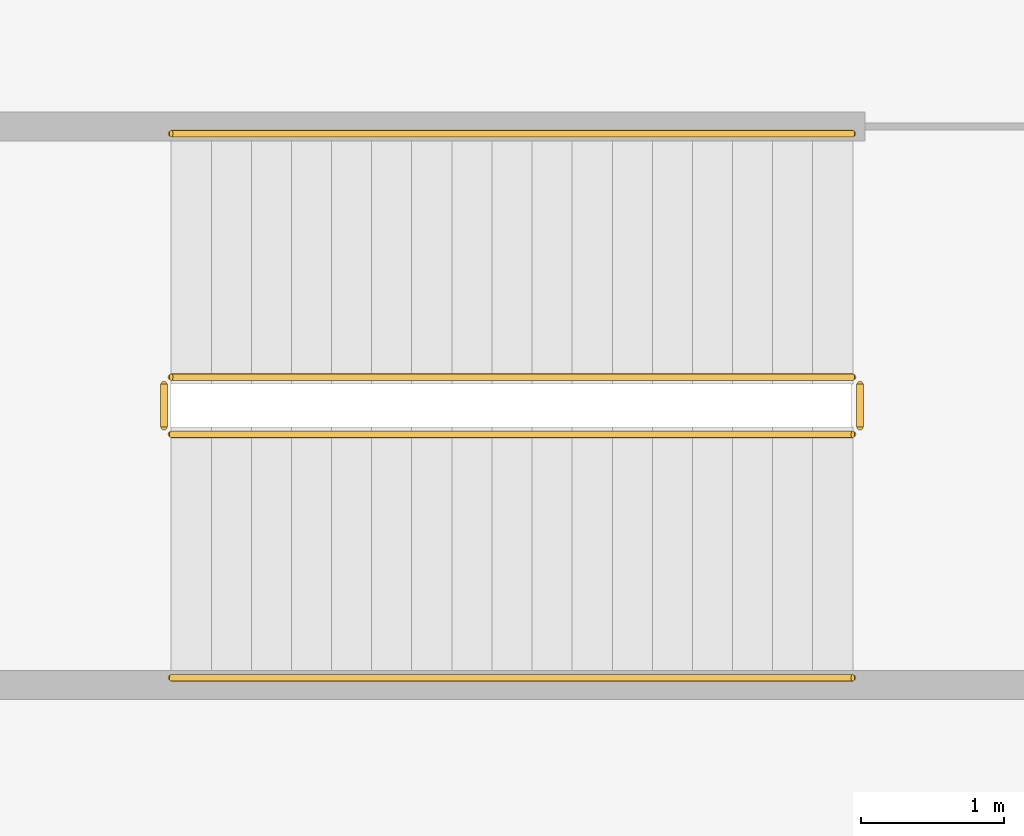
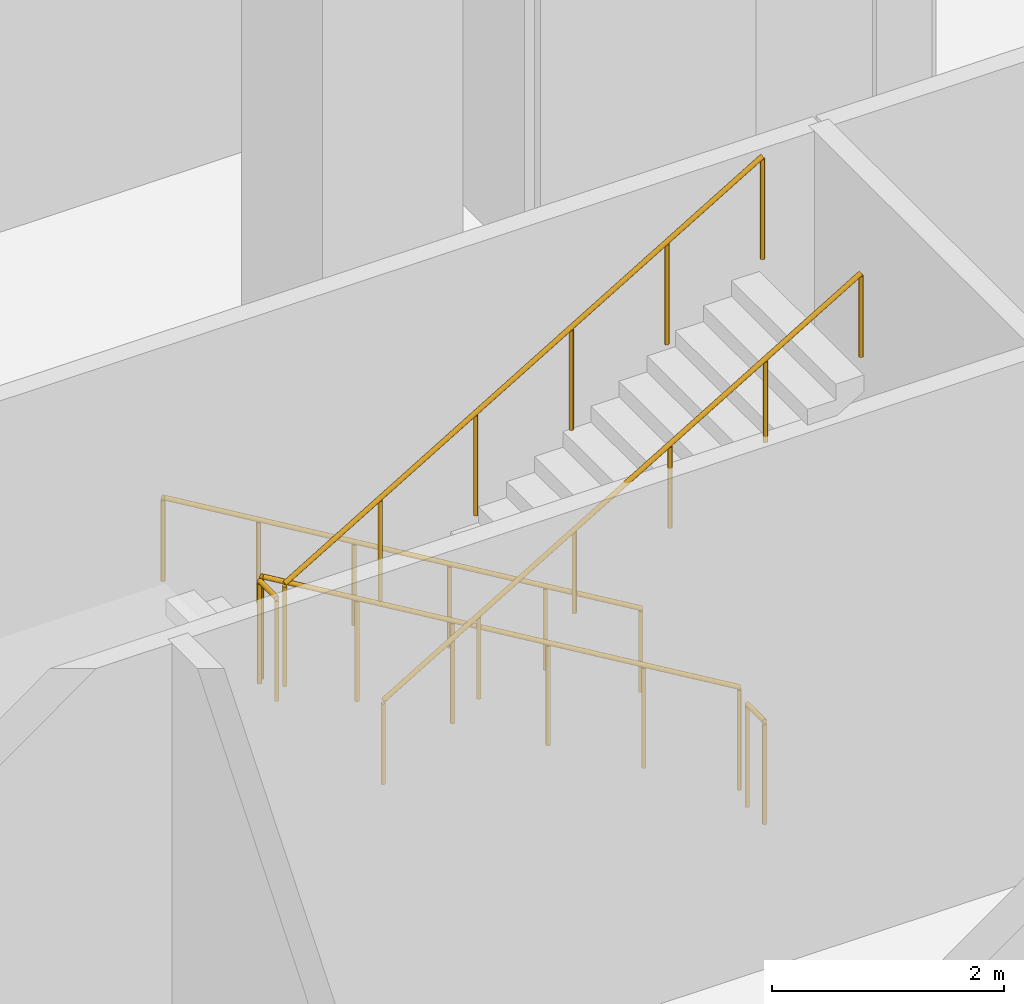
# One storey, part 44 of 52: 6 railings.
"""IFC4 building model written with IfcOpenShell, lengths in metres."""

from ifc_helpers import new_model, si_unit, direction, frame, origin, origin_2d, place, context, subcontext, project, spatial, circle, extrude, material, type_object, element, save


model = new_model("IFC4")

# Units and contexts
model_context = context("Model", 3, precision=1e-05, world=origin(), true_north=direction((0.0, 1.0)))
body_context = subcontext(model_context, "Body", "Model", "MODEL_VIEW")
ifc_project = project(units=[si_unit("LENGTHUNIT", "METRE"), si_unit("AREAUNIT", "SQUARE_METRE"), si_unit("VOLUMEUNIT", "CUBIC_METRE"), si_unit("PLANEANGLEUNIT", "RADIAN"), si_unit("MASSUNIT", "GRAM", prefix="KILO")], contexts=[model_context])

# Site, building, storey
site_placement = place(None, origin())
site = spatial("IfcSite", under=ifc_project, at=site_placement, CompositionType="ELEMENT")
building_placement = place(site_placement, origin())
building = spatial("IfcBuilding", under=site, at=building_placement, Name="Tamarind Cross Interchange Tower", CompositionType="ELEMENT")
storey_placement = place(building_placement, frame((0.0, 0.0, 9.0)))
storey = spatial("IfcBuildingStorey", under=building, at=storey_placement, Name="L01", CompositionType="ELEMENT", Elevation=9.0)

# Railings
ifc_material_1 = material(Name="Public stair guard")
railing_type_1 = type_object("IfcRailingType", Name="Public stair guard", PredefinedType="GUARDRAIL", material=ifc_material_1)
railing_1_placement = place(storey_placement, frame((53.699951171875, -33.25, 0.166748046875)))
element("IfcRailing", 1, at=railing_1_placement, inside=storey, type_object=railing_type_1, Name="L01 XS-P10 stair guard 1", PredefinedType="GUARDRAIL", context=body_context, shape_type="SweptSolid", body=[
    extrude(circle(Radius=0.02392578125, at=origin_2d()), frame((0.0, 0.0, 1.076171875), z_axis=(-0.859299802514, 0.0, 0.511472237174), x_axis=(0.0, -1.0, 0.0)), (0.0, 0.0, 1.0), 5.539306640625),
    extrude(circle(Radius=0.02099609375, at=origin_2d()), origin(), (0.0, 0.0, 1.0), 1.052001953125),
    extrude(circle(Radius=0.02099609375, at=origin_2d()), frame((-0.951904296875, 0.0, 0.566650390625)), (0.0, 0.0, 1.0), 1.052001953125),
    extrude(circle(Radius=0.02099609375, at=origin_2d()), frame((-1.904052734375, 0.0, 1.13330078125)), (0.0, 0.0, 1.0), 1.052001953125),
    extrude(circle(Radius=0.02099609375, at=origin_2d()), frame((-2.85595703125, 0.0, 1.699951171875)), (0.0, 0.0, 1.0), 1.052001953125),
    extrude(circle(Radius=0.02099609375, at=origin_2d()), frame((-3.80810546875, 0.0, 2.2666015625)), (0.0, 0.0, 1.0), 1.052001953125),
    extrude(circle(Radius=0.02099609375, at=origin_2d()), frame((-4.760009765625, 0.0, 2.833251953125)), (0.0, 0.0, 1.0), 1.052001953125),
])
railing_2_placement = place(storey_placement, frame((48.889892578125, -33.300048828125, 3.0)))
element("IfcRailing", 2, at=railing_2_placement, inside=storey, type_object=railing_type_1, Name="L01 XS-P10 stair guard 2", PredefinedType="GUARDRAIL", context=body_context, shape_type="SweptSolid", body=[
    extrude(circle(Radius=0.02392578125, at=origin_2d()), frame((0.0, 0.0, 1.076171875), z_axis=(0.0, -1.0, 0.0), x_axis=(1.0, 0.0, 0.0)), (0.0, 0.0, 1.0), 0.300048828125),
    extrude(circle(Radius=0.02099609375, at=origin_2d()), origin(), (0.0, 0.0, 1.0), 1.052001953125),
    extrude(circle(Radius=0.02099609375, at=origin_2d()), frame((0.0, -0.300048828125, 0.0)), (0.0, 0.0, 1.0), 1.052001953125),
])
railing_3_placement = place(storey_placement, frame((48.93994140625, -33.64990234375, 3.166748046875)))
element("IfcRailing", 3, at=railing_3_placement, inside=storey, type_object=railing_type_1, Name="L01 XS-P10 stair guard 3", PredefinedType="GUARDRAIL", context=body_context, shape_type="SweptSolid", body=[
    extrude(circle(Radius=0.02392578125, at=origin_2d()), frame((0.0, 0.0, 1.076171875), z_axis=(0.859299802514, 0.0, 0.511472237174), x_axis=(0.0, 1.0, 0.0)), (0.0, 0.0, 1.0), 5.539306640625),
    extrude(circle(Radius=0.02099609375, at=origin_2d()), origin(), (0.0, 0.0, 1.0), 1.052001953125),
    extrude(circle(Radius=0.02099609375, at=origin_2d()), frame((0.951904296875, 0.0, 0.566650390625)), (0.0, 0.0, 1.0), 1.052001953125),
    extrude(circle(Radius=0.02099609375, at=origin_2d()), frame((1.904052734375, 0.0, 1.13330078125)), (0.0, 0.0, 1.0), 1.052001953125),
    extrude(circle(Radius=0.02099609375, at=origin_2d()), frame((2.85595703125, 0.0, 1.699951171875)), (0.0, 0.0, 1.0), 1.052001953125),
    extrude(circle(Radius=0.02099609375, at=origin_2d()), frame((3.80810546875, 0.0, 2.2666015625)), (0.0, 0.0, 1.0), 1.052001953125),
    extrude(circle(Radius=0.02099609375, at=origin_2d()), frame((4.760009765625, 0.0, 2.833251953125)), (0.0, 0.0, 1.0), 1.052001953125),
])
railing_4_placement = place(storey_placement, frame((53.75, -33.300048828125, 0.0)))
element("IfcRailing", 4, at=railing_4_placement, inside=storey, type_object=railing_type_1, Name="L01 XS-P10 stair guard 4", PredefinedType="GUARDRAIL", context=body_context, shape_type="SweptSolid", body=[
    extrude(circle(Radius=0.02392578125, at=origin_2d()), frame((0.0, 0.0, 1.076171875), z_axis=(0.0, -1.0, 0.0), x_axis=(1.0, 0.0, 0.0)), (0.0, 0.0, 1.0), 0.300048828125),
    extrude(circle(Radius=0.02099609375, at=origin_2d()), origin(), (0.0, 0.0, 1.0), 1.052001953125),
    extrude(circle(Radius=0.02099609375, at=origin_2d()), frame((0.0, -0.300048828125, 0.0)), (0.0, 0.0, 1.0), 1.052001953125),
])
ifc_material_2 = material(Name="Public stair handrail")
railing_type_2 = type_object("IfcRailingType", Name="Public stair handrail", PredefinedType="HANDRAIL", material=ifc_material_2)
railing_5_placement = place(storey_placement, frame((53.699951171875, -31.550048828125, 0.166748046875)))
element("IfcRailing", 5, at=railing_5_placement, inside=storey, type_object=railing_type_2, Name="L01 XS-P10 stair handrail 1", PredefinedType="HANDRAIL", context=body_context, shape_type="SweptSolid", body=[
    extrude(circle(Radius=0.02392578125, at=origin_2d()), frame((0.0, 0.0, 0.8759765625), z_axis=(-0.859299802514, 0.0, 0.511472237174), x_axis=(0.0, -1.0, 0.0)), (0.0, 0.0, 1.0), 5.539306640625),
    extrude(circle(Radius=0.02099609375, at=origin_2d()), origin(), (0.0, 0.0, 1.0), 0.851806640625),
    extrude(circle(Radius=0.02099609375, at=origin_2d()), frame((-0.951904296875, 0.0, 0.566650390625)), (0.0, 0.0, 1.0), 0.851806640625),
    extrude(circle(Radius=0.02099609375, at=origin_2d()), frame((-1.904052734375, 0.0, 1.13330078125)), (0.0, 0.0, 1.0), 0.851806640625),
    extrude(circle(Radius=0.02099609375, at=origin_2d()), frame((-2.85595703125, 0.0, 1.699951171875)), (0.0, 0.0, 1.0), 0.851806640625),
    extrude(circle(Radius=0.02099609375, at=origin_2d()), frame((-3.80810546875, 0.0, 2.2666015625)), (0.0, 0.0, 1.0), 0.851806640625),
    extrude(circle(Radius=0.02099609375, at=origin_2d()), frame((-4.760009765625, 0.0, 2.833251953125)), (0.0, 0.0, 1.0), 0.851806640625),
])
railing_6_placement = place(storey_placement, frame((48.93994140625, -35.35009765625, 3.166748046875)))
element("IfcRailing", 6, at=railing_6_placement, inside=storey, type_object=railing_type_2, Name="L01 XS-P10 stair handrail 2", PredefinedType="HANDRAIL", context=body_context, shape_type="SweptSolid", body=[
    extrude(circle(Radius=0.02392578125, at=origin_2d()), frame((0.0, 0.0, 0.8759765625), z_axis=(0.859299802514, 0.0, 0.511472237174), x_axis=(0.0, 1.0, 0.0)), (0.0, 0.0, 1.0), 5.539306640625),
    extrude(circle(Radius=0.02099609375, at=origin_2d()), origin(), (0.0, 0.0, 1.0), 0.851806640625),
    extrude(circle(Radius=0.02099609375, at=origin_2d()), frame((0.951904296875, 0.0, 0.566650390625)), (0.0, 0.0, 1.0), 0.851806640625),
    extrude(circle(Radius=0.02099609375, at=origin_2d()), frame((1.904052734375, 0.0, 1.13330078125)), (0.0, 0.0, 1.0), 0.851806640625),
    extrude(circle(Radius=0.02099609375, at=origin_2d()), frame((2.85595703125, 0.0, 1.699951171875)), (0.0, 0.0, 1.0), 0.851806640625),
    extrude(circle(Radius=0.02099609375, at=origin_2d()), frame((3.80810546875, 0.0, 2.2666015625)), (0.0, 0.0, 1.0), 0.851806640625),
    extrude(circle(Radius=0.02099609375, at=origin_2d()), frame((4.760009765625, 0.0, 2.833251953125)), (0.0, 0.0, 1.0), 0.851806640625),
])

save(model, "model.ifc")
